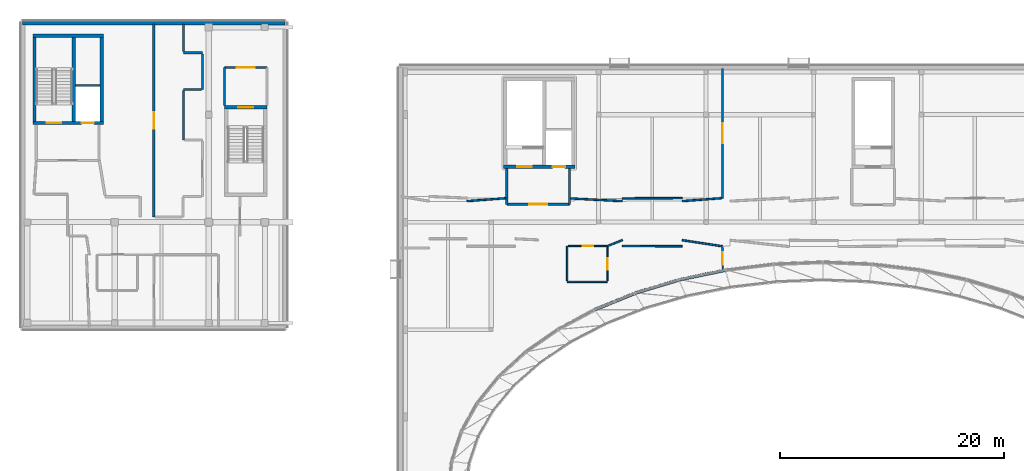
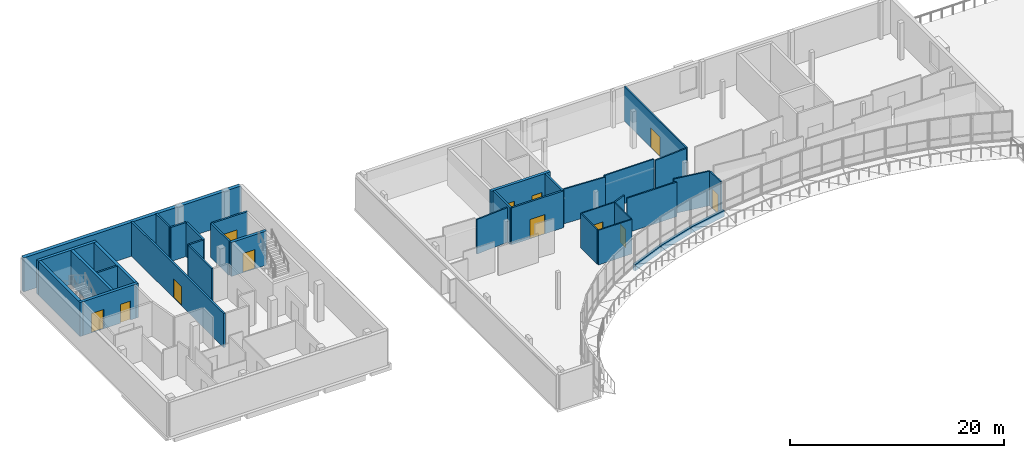
# One storey, part 12 of 18: 36 walls, 12 doors, 12 openings.
"""IFC4 building model written with IfcOpenShell, lengths in metres."""

from ifc_helpers import new_model, si_unit, direction, frame, frame_2d, origin, place, context, subcontext, project, spatial, rectangle, extrude, material, layer, layer_set, type_object, element, fill, save


model = new_model("IFC4")

# Units and contexts
model_context = context("Model", 3, precision=1e-05, world=origin(), true_north=direction((0.0, 1.0)))
body_context = subcontext(model_context, "Body", "Model", "MODEL_VIEW")
ifc_project = project(units=[si_unit("LENGTHUNIT", "METRE"), si_unit("AREAUNIT", "SQUARE_METRE"), si_unit("VOLUMEUNIT", "CUBIC_METRE"), si_unit("PLANEANGLEUNIT", "RADIAN"), si_unit("MASSUNIT", "GRAM", prefix="KILO")], contexts=[model_context])

# Site, building, storey
site_placement = place(None, origin())
site = spatial("IfcSite", under=ifc_project, at=site_placement, CompositionType="ELEMENT")
building_placement = place(site_placement, origin())
building = spatial("IfcBuilding", under=site, at=building_placement, Name="Mzevani Central Library", CompositionType="ELEMENT")
storey_placement = place(building_placement, frame((0.0, 0.0, 18.300048828125)))
storey = spatial("IfcBuildingStorey", under=building, at=storey_placement, Name="L04", CompositionType="ELEMENT", Elevation=18.300048828125)

# Wall
ifc_material_1 = material(Name="Concrete C35/45", Category="concrete")
ifc_layer_1 = layer(ifc_material_1, 0.199951171875, Name="Compartment Wall 200")
ifc_layer_set_1 = layer_set([ifc_layer_1], Name="Concrete C35/45")
wall_type_1 = type_object("IfcWallType", Name="Compartment Wall 200", PredefinedType="STANDARD", material=ifc_layer_set_1)
wall_1_placement = place(storey_placement, frame((30.60009765625, 110.39990234375, 0.0), z_axis=(0.0, 0.0, 1.0), x_axis=(0.0, 1.0, 0.0)))
element("IfcWall", 1, at=wall_1_placement, inside=storey, type_object=wall_type_1, Name="L04 Stair Vestibule C2B Enclosure Wall 1", PredefinedType="STANDARD", context=body_context, shape_type="SweptSolid", body=[
    extrude(rectangle(XDim=3.400146484375, YDim=0.199951171875, at=frame_2d((1.7001953125, 0.0))), origin(), (0.0, 0.0, 1.0), 3.8798828125),
])

# Wall, opening, door
wall_2_placement = place(storey_placement, frame((30.60009765625, 113.800048828125, 0.0), z_axis=(0.0, 0.0, 1.0), x_axis=(1.0, 0.0, 0.0)))
wall_2 = element("IfcWall", 2, at=wall_2_placement, inside=storey, type_object=wall_type_1, Name="L04 Stair Vestibule C2B Enclosure Wall 2", PredefinedType="STANDARD", context=body_context, shape_type="SweptSolid", body=[
    extrude(rectangle(XDim=3.7998046875, YDim=0.199951171875, at=frame_2d((1.89990234375, 0.0))), origin(), (0.0, 0.0, 1.0), 3.8798828125),
])
opening_1_placement = place(wall_2_placement, frame((1.10009765625, 0.0, 0.0)))
opening_1 = element("IfcOpeningElement", 3, at=opening_1_placement, cuts=wall_2, Name="Opening FD-02", PredefinedType="OPENING", context=body_context, shape_type="SweptSolid", body=[
    extrude(rectangle(XDim=1.60009765625, YDim=2.199951171875, at=frame_2d((0.800048828125, 1.10009765625))), frame((0.0, 0.10986328125, 0.0), z_axis=(0.0, -1.0, 0.0), x_axis=(1.0, 0.0, 0.0)), (0.0, 0.0, 1.0), 0.219970703125),
])
ifc_material_2 = material(Name="Fire-rated steel door assembly", Category="steel")
door_type_1 = type_object("IfcDoorType", Name="Fire Lobby Double Door 1600x2200", OperationType="NOTDEFINED", PredefinedType="DOOR", material=ifc_material_2)
door_1_placement = place(opening_1_placement, origin())
door_1 = element("IfcDoor", 4, at=door_1_placement, inside=storey, type_object=door_type_1, Name="L04 Stair Vestibule C2B Smoke-Control Door", OperationType="DOUBLE_DOOR_SINGLE_SWING", OverallHeight=2.199951171875, OverallWidth=1.60009765625, PredefinedType="DOOR", context=body_context, shape_type="SweptSolid", body=[
    extrude(rectangle(XDim=1.60009765625, YDim=2.199951171875, at=frame_2d((0.800048828125, 1.10009765625))), frame((0.0, 0.02490234375, 0.0), z_axis=(0.0, -1.0, 0.0), x_axis=(1.0, 0.0, 0.0)), (0.0, 0.0, 1.0), 0.050048828125),
])
fill(opening_1, door_1)

# Wall
wall_3_placement = place(storey_placement, frame((55.800048828125, 104.800048828125, 0.0), z_axis=(0.0, 0.0, 1.0), x_axis=(0.0, -1.0, 0.0)))
element("IfcWall", 5, at=wall_3_placement, inside=storey, type_object=wall_type_1, Name="L04 Firefighting Stair and Lift Lobby C3A Enclosure Wall 1", PredefinedType="STANDARD", context=body_context, shape_type="SweptSolid", body=[
    extrude(rectangle(XDim=3.199951171875, YDim=0.199951171875, at=frame_2d((1.60009765625, 0.0))), origin(), (0.0, 0.0, 1.0), 4.199951171875),
])

# Wall, opening, door
wall_4_placement = place(storey_placement, frame((55.800048828125, 101.60009765625, 0.0), z_axis=(0.0, 0.0, 1.0), x_axis=(1.0, 0.0, 0.0)))
wall_4 = element("IfcWall", 6, at=wall_4_placement, inside=storey, type_object=wall_type_1, Name="L04 Firefighting Stair and Lift Lobby C3A Enclosure Wall 2", PredefinedType="STANDARD", context=body_context, shape_type="SweptSolid", body=[
    extrude(rectangle(XDim=5.599853515625, YDim=0.199951171875, at=frame_2d((2.7998046875, 0.0))), origin(), (0.0, 0.0, 1.0), 4.199951171875),
])
opening_2_placement = place(wall_4_placement, frame((2.0, 0.0, 0.0)))
opening_2 = element("IfcOpeningElement", 7, at=opening_2_placement, cuts=wall_4, Name="Opening FD-02", PredefinedType="OPENING", context=body_context, shape_type="SweptSolid", body=[
    extrude(rectangle(XDim=1.60009765625, YDim=2.199951171875, at=frame_2d((0.800048828125, 1.10009765625))), frame((0.0, 0.10986328125, 0.0), z_axis=(0.0, -1.0, 0.0), x_axis=(1.0, 0.0, 0.0)), (0.0, 0.0, 1.0), 0.219970703125),
])
door_2_placement = place(opening_2_placement, origin())
door_2 = element("IfcDoor", 8, at=door_2_placement, inside=storey, type_object=door_type_1, Name="L04 Firefighting Stair and Lift Lobby C3A Smoke-Control Door", OperationType="DOUBLE_DOOR_SINGLE_SWING", OverallHeight=2.199951171875, OverallWidth=1.60009765625, PredefinedType="DOOR", context=body_context, shape_type="SweptSolid", body=[
    extrude(rectangle(XDim=1.60009765625, YDim=2.199951171875, at=frame_2d((0.800048828125, 1.10009765625))), frame((0.0, 0.02490234375, 0.0), z_axis=(0.0, -1.0, 0.0), x_axis=(1.0, 0.0, 0.0)), (0.0, 0.0, 1.0), 0.050048828125),
])
fill(opening_2, door_2)

# Wall
wall_5_placement = place(storey_placement, frame((61.39990234375, 101.60009765625, 0.0), z_axis=(0.0, 0.0, 1.0), x_axis=(0.0, 1.0, 0.0)))
element("IfcWall", 9, at=wall_5_placement, inside=storey, type_object=wall_type_1, Name="L04 Firefighting Stair and Lift Lobby C3A Enclosure Wall 3", PredefinedType="STANDARD", context=body_context, shape_type="SweptSolid", body=[
    extrude(rectangle(XDim=3.199951171875, YDim=0.199951171875, at=frame_2d((1.60009765625, 0.0))), origin(), (0.0, 0.0, 1.0), 4.199951171875),
])

# Wall, opening, door
wall_6_placement = place(storey_placement, frame((24.300048828125, 117.7099609375, 0.0), z_axis=(0.0, 0.0, 1.0), x_axis=(0.0, -1.0, 0.0)))
wall_6 = element("IfcWall", 10, at=wall_6_placement, inside=storey, type_object=wall_type_1, Name="L04 V2 Partition IW-COMP (566)", PredefinedType="STANDARD", context=body_context, shape_type="SweptSolid", body=[
    extrude(rectangle(XDim=17.25, YDim=0.199951171875, at=frame_2d((8.625, 0.0))), origin(), (0.0, 0.0, 1.0), 3.8798828125),
])
opening_3_placement = place(wall_6_placement, frame((7.89990234375, 0.0, 0.0)))
opening_3 = element("IfcOpeningElement", 11, at=opening_3_placement, cuts=wall_6, Name="Opening FD-03", PredefinedType="OPENING", context=body_context, shape_type="SweptSolid", body=[
    extrude(rectangle(XDim=1.449951171875, YDim=2.199951171875, at=frame_2d((0.72509765625, 1.10009765625))), frame((0.0, 0.10986328125, 0.0), z_axis=(0.0, -1.0, 0.0), x_axis=(1.0, 0.0, 0.0)), (0.0, 0.0, 1.0), 0.219970703125),
])
door_type_2 = type_object("IfcDoorType", Name="Archival Vault Fire Door 1450x2200", OperationType="NOTDEFINED", PredefinedType="DOOR", material=ifc_material_2)
door_3_placement = place(opening_3_placement, origin())
door_3 = element("IfcDoor", 12, at=door_3_placement, inside=storey, type_object=door_type_2, Name="L04 Photographic and Film Cold Archive Door", OperationType="DOUBLE_DOOR_SINGLE_SWING", OverallHeight=2.199951171875, OverallWidth=1.449951171875, PredefinedType="DOOR", context=body_context, shape_type="SweptSolid", body=[
    extrude(rectangle(XDim=1.449951171875, YDim=2.199951171875, at=frame_2d((0.72509765625, 1.10009765625))), frame((0.0, 0.02490234375, 0.0), z_axis=(0.0, -1.0, 0.0), x_axis=(1.0, 0.0, 0.0)), (0.0, 0.0, 1.0), 0.050048828125),
])
fill(opening_3, door_3)

# Wall, openings, doors
ifc_material_3 = material(Name="Concrete C40/50", Category="concrete")
ifc_layer_2 = layer(ifc_material_3, 0.300048828125, Name="Core Shear Wall 300")
ifc_layer_set_2 = layer_set([ifc_layer_2], Name="Concrete C40/50")
wall_type_2 = type_object("IfcWallType", Name="Core Shear Wall 300", PredefinedType="SHEAR", material=ifc_layer_set_2)
wall_7_placement = place(storey_placement, frame((19.800048828125, 108.85009765625, 0.0), z_axis=(0.0, 0.0, 1.0), x_axis=(-1.0, 0.0, 0.0)))
wall_7 = element("IfcWall", 13, at=wall_7_placement, inside=storey, type_object=wall_type_2, Name="L04 Core C2A North-West Firefighting Core Shear Wall (-y)", PredefinedType="SHEAR", context=body_context, shape_type="SweptSolid", body=[
    extrude(rectangle(XDim=6.300048828125, YDim=0.300048828125, at=frame_2d((3.14990234375, 0.0))), origin(), (0.0, 0.0, 1.0), 3.8798828125),
])
opening_4_placement = place(wall_7_placement, frame((3.75, 0.0, 0.0)))
opening_4 = element("IfcOpeningElement", 14, at=opening_4_placement, cuts=wall_7, Name="Opening FD-01", PredefinedType="OPENING", context=body_context, shape_type="SweptSolid", body=[
    extrude(rectangle(XDim=1.300048828125, YDim=2.199951171875, at=frame_2d((0.64990234375, 1.10009765625))), frame((0.0, 0.16015625, 0.0), z_axis=(0.0, -1.0, 0.0), x_axis=(1.0, 0.0, 0.0)), (0.0, 0.0, 1.0), 0.320068359375),
])
opening_5_placement = place(wall_7_placement, frame((0.85009765625, 0.0, 0.0)))
opening_5 = element("IfcOpeningElement", 15, at=opening_5_placement, cuts=wall_7, Name="Opening LD-02", PredefinedType="OPENING", context=body_context, shape_type="SweptSolid", body=[
    extrude(rectangle(XDim=1.10009765625, YDim=2.14990234375, at=frame_2d((0.550048828125, 1.074951171875))), frame((0.0, 0.16015625, 0.0), z_axis=(0.0, -1.0, 0.0), x_axis=(1.0, 0.0, 0.0)), (0.0, 0.0, 1.0), 0.320068359375),
])
door_type_3 = type_object("IfcDoorType", Name="Fire Stair Door 1300x2200", OperationType="NOTDEFINED", PredefinedType="DOOR", material=ifc_material_2)
door_4_placement = place(opening_4_placement, origin())
door_4 = element("IfcDoor", 16, at=door_4_placement, inside=storey, type_object=door_type_3, Name="L04 ST-03 Protected Exit Stair Door", OperationType="SINGLE_SWING_LEFT", OverallHeight=2.199951171875, OverallWidth=1.300048828125, PredefinedType="DOOR", context=body_context, shape_type="SweptSolid", body=[
    extrude(rectangle(XDim=1.300048828125, YDim=2.199951171875, at=frame_2d((0.64990234375, 1.10009765625))), frame((0.0, 0.02490234375, 0.0), z_axis=(0.0, -1.0, 0.0), x_axis=(1.0, 0.0, 0.0)), (0.0, 0.0, 1.0), 0.050048828125),
])
fill(opening_4, door_4)
ifc_material_4 = material(Name="Brushed stainless steel door", Category="steel")
door_type_4 = type_object("IfcDoorType", Name="Firefighting Lift Landing Door 1100x2150", OperationType="NOTDEFINED", PredefinedType="DOOR", material=ifc_material_4)
door_5_placement = place(opening_5_placement, origin())
door_5 = element("IfcDoor", 17, at=door_5_placement, inside=storey, type_object=door_type_4, Name="L04 Lift LF-FF1 Sliding Landing Door", OperationType="SLIDING_TO_LEFT", OverallHeight=2.14990234375, OverallWidth=1.10009765625, PredefinedType="DOOR", context=body_context, shape_type="SweptSolid", body=[
    extrude(rectangle(XDim=1.10009765625, YDim=2.14990234375, at=frame_2d((0.550048828125, 1.074951171875))), frame((0.0, 0.02490234375, 0.0), z_axis=(0.0, -1.0, 0.0), x_axis=(1.0, 0.0, 0.0)), (0.0, 0.0, 1.0), 0.050048828125),
])
fill(opening_5, door_5)

# Walls
wall_8_placement = place(storey_placement, frame((13.64990234375, 108.699951171875, 0.0), z_axis=(0.0, 0.0, 1.0), x_axis=(0.0, 1.0, 0.0)))
element("IfcWall", 18, at=wall_8_placement, inside=storey, type_object=wall_type_2, Name="L04 Core C2A North-West Firefighting Core Shear Wall (-x)", PredefinedType="SHEAR", context=body_context, shape_type="SweptSolid", body=[
    extrude(rectangle(XDim=8.10009765625, YDim=0.300048828125, at=frame_2d((4.050048828125, 0.0))), origin(), (0.0, 0.0, 1.0), 3.8798828125),
])
wall_9_placement = place(storey_placement, frame((13.5, 116.64990234375, 0.0), z_axis=(0.0, 0.0, 1.0), x_axis=(1.0, 0.0, 0.0)))
element("IfcWall", 19, at=wall_9_placement, inside=storey, type_object=wall_type_2, Name="L04 Core C2A North-West Firefighting Core Shear Wall (+y)", PredefinedType="SHEAR", context=body_context, shape_type="SweptSolid", body=[
    extrude(rectangle(XDim=6.300048828125, YDim=0.300048828125, at=frame_2d((3.14990234375, 0.0))), origin(), (0.0, 0.0, 1.0), 3.8798828125),
])
wall_10_placement = place(storey_placement, frame((19.64990234375, 116.800048828125, 0.0), z_axis=(0.0, 0.0, 1.0), x_axis=(0.0, -1.0, 0.0)))
element("IfcWall", 20, at=wall_10_placement, inside=storey, type_object=wall_type_2, Name="L04 Core C2A North-West Firefighting Core Shear Wall (+x)", PredefinedType="SHEAR", context=body_context, shape_type="SweptSolid", body=[
    extrude(rectangle(XDim=8.10009765625, YDim=0.300048828125, at=frame_2d((4.050048828125, 0.0))), origin(), (0.0, 0.0, 1.0), 3.8798828125),
])
wall_11_placement = place(storey_placement, frame((17.14990234375, 108.85009765625, 0.0), z_axis=(0.0, 0.0, 1.0), x_axis=(0.0, 1.0, 0.0)))
element("IfcWall", 21, at=wall_11_placement, inside=storey, type_object=wall_type_2, Name="L04 Core C2A North-West Firefighting Core Hoistway Shear Wall", PredefinedType="SHEAR", context=body_context, shape_type="SweptSolid", body=[
    extrude(rectangle(XDim=7.7998046875, YDim=0.300048828125, at=frame_2d((3.89990234375, 0.0))), origin(), (0.0, 0.0, 1.0), 3.8798828125),
])

# Wall, opening, door
wall_12_placement = place(storey_placement, frame((30.60009765625, 110.25, 0.0), z_axis=(0.0, 0.0, 1.0), x_axis=(1.0, 0.0, 0.0)))
wall_12 = element("IfcWall", 22, at=wall_12_placement, inside=storey, type_object=wall_type_2, Name="L04 Core C2B Stacks East Escape Stair Shear Wall (+y)", PredefinedType="SHEAR", context=body_context, shape_type="SweptSolid", body=[
    extrude(rectangle(XDim=3.7998046875, YDim=0.300048828125, at=frame_2d((1.89990234375, 0.0))), origin(), (0.0, 0.0, 1.0), 3.8798828125),
])
opening_6_placement = place(wall_12_placement, frame((1.25, 0.0, 0.0)))
opening_6 = element("IfcOpeningElement", 23, at=opening_6_placement, cuts=wall_12, Name="Opening FD-01", PredefinedType="OPENING", context=body_context, shape_type="SweptSolid", body=[
    extrude(rectangle(XDim=1.300048828125, YDim=2.199951171875, at=frame_2d((0.64990234375, 1.10009765625))), frame((0.0, 0.16015625, 0.0), z_axis=(0.0, -1.0, 0.0), x_axis=(1.0, 0.0, 0.0)), (0.0, 0.0, 1.0), 0.320068359375),
])
door_6_placement = place(opening_6_placement, origin())
door_6 = element("IfcDoor", 24, at=door_6_placement, inside=storey, type_object=door_type_3, Name="L04 ST-04 Protected Exit Stair Door", OperationType="SINGLE_SWING_RIGHT", OverallHeight=2.199951171875, OverallWidth=1.300048828125, PredefinedType="DOOR", context=body_context, shape_type="SweptSolid", body=[
    extrude(rectangle(XDim=1.300048828125, YDim=2.199951171875, at=frame_2d((0.64990234375, 1.10009765625))), frame((0.0, 0.02490234375, 0.0), z_axis=(0.0, -1.0, 0.0), x_axis=(1.0, 0.0, 0.0)), (0.0, 0.0, 1.0), 0.050048828125),
])
fill(opening_6, door_6)

# Wall, openings, doors
wall_13_placement = place(storey_placement, frame((61.89990234375, 104.949951171875, 0.0), z_axis=(0.0, 0.0, 1.0), x_axis=(-1.0, 0.0, 0.0)))
wall_13 = element("IfcWall", 25, at=wall_13_placement, inside=storey, type_object=wall_type_2, Name="L04 Core C3A North-East Firefighting Core Shear Wall (-y)", PredefinedType="SHEAR", context=body_context, shape_type="SweptSolid", body=[
    extrude(rectangle(XDim=6.39990234375, YDim=0.300048828125, at=frame_2d((3.199951171875, 0.0))), origin(), (0.0, 0.0, 1.0), 4.199951171875),
])
opening_7_placement = place(wall_13_placement, frame((3.85009765625, 0.0, 0.0)))
opening_7 = element("IfcOpeningElement", 26, at=opening_7_placement, cuts=wall_13, Name="Opening FD-01", PredefinedType="OPENING", context=body_context, shape_type="SweptSolid", body=[
    extrude(rectangle(XDim=1.300048828125, YDim=2.199951171875, at=frame_2d((0.64990234375, 1.10009765625))), frame((0.0, 0.16015625, 0.0), z_axis=(0.0, -1.0, 0.0), x_axis=(1.0, 0.0, 0.0)), (0.0, 0.0, 1.0), 0.320068359375),
])
opening_8_placement = place(wall_13_placement, frame((0.89990234375, 0.0, 0.0)))
opening_8 = element("IfcOpeningElement", 27, at=opening_8_placement, cuts=wall_13, Name="Opening LD-02", PredefinedType="OPENING", context=body_context, shape_type="SweptSolid", body=[
    extrude(rectangle(XDim=1.10009765625, YDim=2.14990234375, at=frame_2d((0.550048828125, 1.074951171875))), frame((0.0, 0.16015625, 0.0), z_axis=(0.0, -1.0, 0.0), x_axis=(1.0, 0.0, 0.0)), (0.0, 0.0, 1.0), 0.320068359375),
])
door_7_placement = place(opening_7_placement, origin())
door_7 = element("IfcDoor", 28, at=door_7_placement, inside=storey, type_object=door_type_3, Name="L04 ST-05 Protected Exit Stair Door", OperationType="SINGLE_SWING_LEFT", OverallHeight=2.199951171875, OverallWidth=1.300048828125, PredefinedType="DOOR", context=body_context, shape_type="SweptSolid", body=[
    extrude(rectangle(XDim=1.300048828125, YDim=2.199951171875, at=frame_2d((0.64990234375, 1.10009765625))), frame((0.0, 0.02490234375, 0.0), z_axis=(0.0, -1.0, 0.0), x_axis=(1.0, 0.0, 0.0)), (0.0, 0.0, 1.0), 0.050048828125),
])
fill(opening_7, door_7)
door_8_placement = place(opening_8_placement, origin())
door_8 = element("IfcDoor", 29, at=door_8_placement, inside=storey, type_object=door_type_4, Name="L04 Lift LF-FF2 Sliding Landing Door", OperationType="SLIDING_TO_LEFT", OverallHeight=2.14990234375, OverallWidth=1.10009765625, PredefinedType="DOOR", context=body_context, shape_type="SweptSolid", body=[
    extrude(rectangle(XDim=1.10009765625, YDim=2.14990234375, at=frame_2d((0.550048828125, 1.074951171875))), frame((0.0, 0.02490234375, 0.0), z_axis=(0.0, -1.0, 0.0), x_axis=(1.0, 0.0, 0.0)), (0.0, 0.0, 1.0), 0.050048828125),
])
fill(opening_8, door_8)

# Walls
ifc_material_5 = material(Name="Precast concrete C40/50", Category="concrete")
ifc_layer_3 = layer(ifc_material_5, 0.280029296875, Name="Court Spandrel Wall 280")
ifc_layer_set_3 = layer_set([ifc_layer_3], Name="Precast concrete C40/50")
wall_type_3 = type_object("IfcWallType", Name="Court Spandrel Wall 280", PredefinedType="STANDARD", material=ifc_layer_set_3)
wall_14_placement = place(storey_placement, frame((75.300048828125, 95.7158203125, 0.0), z_axis=(0.0, 0.0, 1.0), x_axis=(-0.979306137349, -0.202384508674, 0.0)))
element("IfcWall", 30, at=wall_14_placement, inside=storey, type_object=wall_type_3, Name="L04 Elliptical Court Spandrel 15", PredefinedType="STANDARD", context=body_context, shape_type="SweptSolid", body=[
    extrude(rectangle(XDim=4.19921875, YDim=0.280029296875, at=frame_2d((2.099609375, 0.0))), origin(), (0.0, 0.0, 1.0), 0.719970703125),
])
wall_15_placement = place(storey_placement, frame((71.156494140625, 94.8447265625, 0.0), z_axis=(0.0, 0.0, 1.0), x_axis=(-0.957763475746, -0.287557167408, 0.0)))
element("IfcWall", 31, at=wall_15_placement, inside=storey, type_object=wall_type_3, Name="L04 Elliptical Court Spandrel 16", PredefinedType="STANDARD", context=body_context, shape_type="SweptSolid", body=[
    extrude(rectangle(XDim=4.06689453125, YDim=0.280029296875, at=frame_2d((2.033447265625, 0.0))), origin(), (0.0, 0.0, 1.0), 0.719970703125),
])
wall_16_placement = place(storey_placement, frame((67.2373046875, 93.652587890625, 0.0), z_axis=(0.0, 0.0, 1.0), x_axis=(-0.926279468924, -0.376837293071, 0.0)))
element("IfcWall", 32, at=wall_16_placement, inside=storey, type_object=wall_type_3, Name="L04 Elliptical Court Spandrel 17", PredefinedType="STANDARD", context=body_context, shape_type="SweptSolid", body=[
    extrude(rectangle(XDim=3.898193359375, YDim=0.280029296875, at=frame_2d((1.94921875, 0.0))), origin(), (0.0, 0.0, 1.0), 0.719970703125),
])
ifc_layer_4 = layer(ifc_material_5, 0.3798828125, Name="Exterior Thermal Concrete Wall 380")
ifc_layer_set_4 = layer_set([ifc_layer_4], Name="Precast concrete C40/50")
wall_type_4 = type_object("IfcWallType", Name="Exterior Thermal Concrete Wall 380", PredefinedType="STANDARD", material=ifc_layer_set_4)
wall_17_placement = place(storey_placement, frame((12.590087890625, 117.81005859375, 0.0), z_axis=(0.0, 0.0, 1.0), x_axis=(1.0, 0.0, 0.0)))
element("IfcWall", 33, at=wall_17_placement, inside=storey, type_object=wall_type_4, Name="L04 V2 Exterior Thermal Wall (34)", PredefinedType="STANDARD", context=body_context, shape_type="SweptSolid", body=[
    extrude(rectangle(XDim=23.419921875, YDim=0.3798828125, at=frame_2d((11.7099609375, 0.0))), origin(), (0.0, 0.0, 1.0), 3.8798828125),
])
ifc_material_6 = material(Name="Fire-rated gypsum board", Category="gypsum")
ifc_layer_5 = layer(ifc_material_6, 0.1201171875, Name="Partition Acoustic 120")
ifc_layer_set_5 = layer_set([ifc_layer_5], Name="Fire-rated gypsum board")
wall_type_5 = type_object("IfcWallType", Name="Partition Acoustic 120", PredefinedType="PARTITIONING", material=ifc_layer_set_5)
wall_18_placement = place(storey_placement, frame((64.788818359375, 94.675048828125, 0.0), z_axis=(0.0, 0.0, 1.0), x_axis=(-1.0, 0.0, 0.0)))
element("IfcWall", 34, at=wall_18_placement, inside=storey, type_object=wall_type_5, Name="L04 V3 Partition IW-02 (582)", PredefinedType="PARTITIONING", context=body_context, shape_type="SweptSolid", body=[
    extrude(rectangle(XDim=3.599853515625, YDim=0.1201171875, at=frame_2d((1.7998046875, 0.0))), origin(), (0.0, 0.0, 1.0), 3.93994140625),
])
wall_19_placement = place(storey_placement, frame((61.18896484375, 94.77490234375, 0.0), z_axis=(0.0, 0.0, 1.0), x_axis=(0.0, 1.0, 0.0)))
element("IfcWall", 35, at=wall_19_placement, inside=storey, type_object=wall_type_5, Name="L04 V3 Partition IW-02 (583)", PredefinedType="PARTITIONING", context=body_context, shape_type="SweptSolid", body=[
    extrude(rectangle(XDim=3.10009765625, YDim=0.1201171875, at=frame_2d((1.550048828125, 0.0))), origin(), (0.0, 0.0, 1.0), 3.93994140625),
])

# Wall, opening, door
wall_20_placement = place(storey_placement, frame((61.288818359375, 97.875, 0.0), z_axis=(0.0, 0.0, 1.0), x_axis=(1.0, 0.0, 0.0)))
wall_20 = element("IfcWall", 36, at=wall_20_placement, inside=storey, type_object=wall_type_5, Name="L04 V3 Partition IW-02 (584)", PredefinedType="PARTITIONING", context=body_context, shape_type="SweptSolid", body=[
    extrude(rectangle(XDim=3.5, YDim=0.1201171875, at=frame_2d((1.75, 0.0))), origin(), (0.0, 0.0, 1.0), 3.93994140625),
])
opening_9_placement = place(wall_20_placement, frame((1.27490234375, 0.0, 0.0)))
opening_9 = element("IfcOpeningElement", 37, at=opening_9_placement, cuts=wall_20, Name="Opening ID-02", PredefinedType="OPENING", context=body_context, shape_type="SweptSolid", body=[
    extrude(rectangle(XDim=0.949951171875, YDim=2.14990234375, at=frame_2d((0.47509765625, 1.074951171875))), frame((0.0, 0.070068359375, 0.0), z_axis=(0.0, -1.0, 0.0), x_axis=(1.0, 0.0, 0.0)), (0.0, 0.0, 1.0), 0.14013671875),
])
ifc_material_7 = material(Name="Fire-rated solid oak leaf")
door_type_5 = type_object("IfcDoorType", Name="Accessible WC Door 950x2150", OperationType="NOTDEFINED", PredefinedType="DOOR", material=ifc_material_7)
door_9_placement = place(opening_9_placement, origin())
door_9 = element("IfcDoor", 38, at=door_9_placement, inside=storey, type_object=door_type_5, Name="L04 Accessible WC and Public Toilet V3 Door", OperationType="SINGLE_SWING_LEFT", OverallHeight=2.14990234375, OverallWidth=0.949951171875, PredefinedType="DOOR", context=body_context, shape_type="SweptSolid", body=[
    extrude(rectangle(XDim=0.949951171875, YDim=2.14990234375, at=frame_2d((0.47509765625, 1.074951171875))), frame((0.0, 0.02490234375, 0.0), z_axis=(0.0, -1.0, 0.0), x_axis=(1.0, 0.0, 0.0)), (0.0, 0.0, 1.0), 0.050048828125),
])
fill(opening_9, door_9)

wall_21_placement = place(storey_placement, frame((64.788818359375, 97.77490234375, 0.0), z_axis=(0.0, 0.0, 1.0), x_axis=(0.0, -1.0, 0.0)))
wall_21 = element("IfcWall", 39, at=wall_21_placement, inside=storey, type_object=wall_type_5, Name="L04 V3 Partition IW-02 (585)", PredefinedType="PARTITIONING", context=body_context, shape_type="SweptSolid", body=[
    extrude(rectangle(XDim=3.0, YDim=0.1201171875, at=frame_2d((1.5, 0.0))), origin(), (0.0, 0.0, 1.0), 3.93994140625),
])
opening_10_placement = place(wall_21_placement, frame((1.0, 0.0, 0.0)))
opening_10 = element("IfcOpeningElement", 40, at=opening_10_placement, cuts=wall_21, Name="Opening ID-03", PredefinedType="OPENING", context=body_context, shape_type="SweptSolid", body=[
    extrude(rectangle(XDim=1.0, YDim=2.10009765625, at=frame_2d((0.5, 1.050048828125))), frame((0.0, 0.070068359375, 0.0), z_axis=(0.0, -1.0, 0.0), x_axis=(1.0, 0.0, 0.0)), (0.0, 0.0, 1.0), 0.14013671875),
])
door_type_6 = type_object("IfcDoorType", Name="Quiet Study Carrel Door 1000x2100", OperationType="NOTDEFINED", PredefinedType="DOOR", material=ifc_material_7)
door_10_placement = place(opening_10_placement, origin())
door_10 = element("IfcDoor", 41, at=door_10_placement, inside=storey, type_object=door_type_6, Name="L04 Visiting Fellows' Quiet Carrels Door", OperationType="SINGLE_SWING_RIGHT", OverallHeight=2.10009765625, OverallWidth=1.0, PredefinedType="DOOR", context=body_context, shape_type="SweptSolid", body=[
    extrude(rectangle(XDim=1.0, YDim=2.10009765625, at=frame_2d((0.5, 1.050048828125))), frame((0.0, 0.02490234375, 0.0), z_axis=(0.0, -1.0, 0.0), x_axis=(1.0, 0.0, 0.0)), (0.0, 0.0, 1.0), 0.050048828125),
])
fill(opening_10, door_10)

# Walls
ifc_layer_6 = layer(ifc_material_6, 0.14990234375, Name="Partition Study 150")
ifc_layer_set_6 = layer_set([ifc_layer_6], Name="Fire-rated gypsum board")
wall_type_6 = type_object("IfcWallType", Name="Partition Study 150", PredefinedType="PARTITIONING", material=ifc_layer_set_6)
wall_22_placement = place(storey_placement, frame((71.449951171875, 102.14990234375, 0.0), z_axis=(0.0, 0.0, 1.0), x_axis=(-0.999989065169, -0.004676488224, 0.0)))
element("IfcWall", 42, at=wall_22_placement, inside=storey, type_object=wall_type_6, Name="L04 V3 Partition IW-03 (586)", PredefinedType="PARTITIONING", context=body_context, shape_type="SweptSolid", body=[
    extrude(rectangle(XDim=5.324951171875, YDim=0.14990234375, at=frame_2d((2.66259765625, 0.0))), origin(), (0.0, 0.0, 1.0), 3.93994140625),
])
wall_23_placement = place(storey_placement, frame((66.125, 101.8798828125, 0.0), z_axis=(0.0, 0.0, 1.0), x_axis=(-0.998656437942, 0.051820063265, 0.0)))
element("IfcWall", 43, at=wall_23_placement, inside=storey, type_object=wall_type_6, Name="L04 V3 Partition IW-03 (587)", PredefinedType="PARTITIONING", context=body_context, shape_type="SweptSolid", body=[
    extrude(rectangle(XDim=4.631103515625, YDim=0.14990234375, at=frame_2d((2.3154296875, 0.0))), origin(), (0.0, 0.0, 1.0), 3.93994140625),
])
wall_24_placement = place(storey_placement, frame((55.7001953125, 102.142333984375, 0.0), z_axis=(0.0, 0.0, 1.0), x_axis=(-0.99711928762, -0.075849365567, 0.0)))
element("IfcWall", 44, at=wall_24_placement, inside=storey, type_object=wall_type_6, Name="L04 V3 Partition IW-03 (588)", PredefinedType="PARTITIONING", context=body_context, shape_type="SweptSolid", body=[
    extrude(rectangle(XDim=3.460205078125, YDim=0.14990234375, at=frame_2d((1.72998046875, 0.0))), origin(), (0.0, 0.0, 1.0), 3.93994140625),
])

# Wall, opening, door
wall_25_placement = place(storey_placement, frame((75.050048828125, 113.7099609375, 0.0), z_axis=(0.0, 0.0, 1.0), x_axis=(0.0, -1.0, 0.0)))
wall_25 = element("IfcWall", 45, at=wall_25_placement, inside=storey, type_object=wall_type_6, Name="L04 V3 Partition IW-03 (591)", PredefinedType="PARTITIONING", context=body_context, shape_type="SweptSolid", body=[
    extrude(rectangle(XDim=11.56005859375, YDim=0.14990234375, at=frame_2d((5.780029296875, 0.0))), origin(), (0.0, 0.0, 1.0), 3.93994140625),
])
opening_11_placement = place(wall_25_placement, frame((4.8798828125, 0.0, 0.0)))
opening_11 = element("IfcOpeningElement", 46, at=opening_11_placement, cuts=wall_25, Name="Opening FD-06", PredefinedType="OPENING", context=body_context, shape_type="SweptSolid", body=[
    extrude(rectangle(XDim=1.800048828125, YDim=2.199951171875, at=frame_2d((0.89990234375, 1.10009765625))), frame((0.0, 0.0849609375, 0.0), z_axis=(0.0, -1.0, 0.0), x_axis=(1.0, 0.0, 0.0)), (0.0, 0.0, 1.0), 0.169921875),
])
door_type_7 = type_object("IfcDoorType", Name="Fire Corridor Double Door 1800x2200", OperationType="NOTDEFINED", PredefinedType="DOOR", material=ifc_material_2)
door_11_placement = place(opening_11_placement, origin())
door_11 = element("IfcDoor", 47, at=door_11_placement, inside=storey, type_object=door_type_7, Name="L04 North-Light Sawtooth Reading Salon Door", OperationType="DOUBLE_DOOR_SINGLE_SWING", OverallHeight=2.199951171875, OverallWidth=1.800048828125, PredefinedType="DOOR", context=body_context, shape_type="SweptSolid", body=[
    extrude(rectangle(XDim=1.800048828125, YDim=2.199951171875, at=frame_2d((0.89990234375, 1.10009765625))), frame((0.0, 0.02490234375, 0.0), z_axis=(0.0, -1.0, 0.0), x_axis=(1.0, 0.0, 0.0)), (0.0, 0.0, 1.0), 0.050048828125),
])
fill(opening_11, door_11)

# Walls
wall_26_placement = place(storey_placement, frame((74.9501953125, 102.142578125, 0.0), z_axis=(0.0, 0.0, 1.0), x_axis=(-0.997195547784, -0.074840092726, 0.0)))
element("IfcWall", 48, at=wall_26_placement, inside=storey, type_object=wall_type_6, Name="L04 V3 Partition IW-03 (592)", PredefinedType="PARTITIONING", context=body_context, shape_type="SweptSolid", body=[
    extrude(rectangle(XDim=3.510009765625, YDim=0.14990234375, at=frame_2d((1.7548828125, 0.0))), origin(), (0.0, 0.0, 1.0), 3.93994140625),
])
wall_27_placement = place(storey_placement, frame((64.788818359375, 97.875, 0.0), z_axis=(0.0, 0.0, 1.0), x_axis=(0.9290488083, 0.369957175626, 0.0)))
element("IfcWall", 49, at=wall_27_placement, inside=storey, type_object=wall_type_6, Name="L04 V3 Partition IW-03 (602)", PredefinedType="PARTITIONING", context=body_context, shape_type="SweptSolid", body=[
    extrude(rectangle(XDim=1.439208984375, YDim=0.14990234375, at=frame_2d((0.7197265625, 0.0))), origin(), (0.0, 0.0, 1.0), 3.93994140625),
])
wall_28_placement = place(storey_placement, frame((66.125, 97.875, 0.0), z_axis=(0.0, 0.0, 1.0), x_axis=(0.999989065169, -0.004676488224, 0.0)))
element("IfcWall", 50, at=wall_28_placement, inside=storey, type_object=wall_type_6, Name="L04 V3 Partition IW-03 (603)", PredefinedType="PARTITIONING", context=body_context, shape_type="SweptSolid", body=[
    extrude(rectangle(XDim=5.324951171875, YDim=0.14990234375, at=frame_2d((2.66259765625, 0.0))), origin(), (0.0, 0.0, 1.0), 3.93994140625),
])
wall_29_placement = place(storey_placement, frame((71.449951171875, 98.3984375, 0.0), z_axis=(0.0, 0.0, 1.0), x_axis=(0.988598452518, -0.150575893419, 0.0)))
element("IfcWall", 51, at=wall_29_placement, inside=storey, type_object=wall_type_6, Name="L04 V3 Partition IW-03 (604)", PredefinedType="PARTITIONING", context=body_context, shape_type="SweptSolid", body=[
    extrude(rectangle(XDim=3.6416015625, YDim=0.14990234375, at=frame_2d((1.82080078125, 0.0))), origin(), (0.0, 0.0, 1.0), 3.93994140625),
])

# Wall, opening, door
wall_30_placement = place(storey_placement, frame((75.051513671875, 97.75, 0.0), z_axis=(0.0, 0.0, 1.0), x_axis=(0.0148774605, -0.99988932446, 0.0)))
wall_30 = element("IfcWall", 52, at=wall_30_placement, inside=storey, type_object=wall_type_6, Name="L04 V3 Partition IW-03 (605)", PredefinedType="PARTITIONING", context=body_context, shape_type="SweptSolid", body=[
    extrude(rectangle(XDim=1.96923828125, YDim=0.14990234375, at=frame_2d((0.984619140625, 0.0))), origin(), (0.0, 0.0, 1.0), 3.93994140625),
])
opening_12_placement = place(wall_30_placement, frame((0.4345703125, 0.0, 0.0)))
opening_12 = element("IfcOpeningElement", 53, at=opening_12_placement, cuts=wall_30, Name="Opening ID-08", PredefinedType="OPENING", context=body_context, shape_type="SweptSolid", body=[
    extrude(rectangle(XDim=1.10009765625, YDim=2.199951171875, at=frame_2d((0.550048828125, 1.10009765625))), frame((0.0, 0.0849609375, 0.0), z_axis=(0.0, -1.0, 0.0), x_axis=(1.0, 0.0, 0.0)), (0.0, 0.0, 1.0), 0.169921875),
])
door_type_8 = type_object("IfcDoorType", Name="Seminar Room Door 1100x2200", OperationType="NOTDEFINED", PredefinedType="DOOR", material=ifc_material_7)
door_12_placement = place(opening_12_placement, origin())
door_12 = element("IfcDoor", 54, at=door_12_placement, inside=storey, type_object=door_type_8, Name="L04 Roof Garden Reading Conservatory Door", OperationType="SINGLE_SWING_LEFT", OverallHeight=2.199951171875, OverallWidth=1.10009765625, PredefinedType="DOOR", context=body_context, shape_type="SweptSolid", body=[
    extrude(rectangle(XDim=1.10009765625, YDim=2.199951171875, at=frame_2d((0.550048828125, 1.10009765625))), frame((0.0, 0.02490234375, 0.0), z_axis=(0.0, -1.0, 0.0), x_axis=(1.0, 0.0, 0.0)), (0.0, 0.0, 1.0), 0.050048828125),
])
fill(opening_12, door_12)

# Walls
ifc_material_8 = material(Name="Concrete blockwork masonry", Category="masonry")
ifc_layer_7 = layer(ifc_material_8, 0.179931640625, Name="Shaft Enclosure Wall 180")
ifc_layer_set_7 = layer_set([ifc_layer_7], Name="Concrete blockwork masonry")
wall_type_7 = type_object("IfcWallType", Name="Shaft Enclosure Wall 180", PredefinedType="PARTITIONING", material=ifc_layer_set_7)
wall_31_placement = place(storey_placement, frame((17.300048828125, 112.18994140625, 0.0), z_axis=(0.0, 0.0, 1.0), x_axis=(1.0, 0.0, 0.0)))
element("IfcWall", 55, at=wall_31_placement, inside=storey, type_object=wall_type_7, Name="L04 Lift LF-FF1 Hoistway Enclosure Wall", PredefinedType="PARTITIONING", context=body_context, shape_type="SweptSolid", body=[
    extrude(rectangle(XDim=2.199951171875, YDim=0.179931640625, at=frame_2d((1.10009765625, 0.0))), origin(), (0.0, 0.0, 1.0), 3.8798828125),
])
wall_32_placement = place(storey_placement, frame((26.925048828125, 115.125, 0.0), z_axis=(0.0, 0.0, 1.0), x_axis=(1.0, 0.0, 0.0)))
element("IfcWall", 56, at=wall_32_placement, inside=storey, type_object=wall_type_7, Name="L04 V2 Partition IW-04 (569)", PredefinedType="PARTITIONING", context=body_context, shape_type="SweptSolid", body=[
    extrude(rectangle(XDim=1.71484375, YDim=0.179931640625, at=frame_2d((0.857421875, 0.0))), origin(), (0.0, 0.0, 1.0), 3.8798828125),
])
wall_33_placement = place(storey_placement, frame((28.639892578125, 115.02490234375, 0.0), z_axis=(0.0, 0.0, 1.0), x_axis=(0.0, -1.0, 0.0)))
element("IfcWall", 57, at=wall_33_placement, inside=storey, type_object=wall_type_7, Name="L04 V2 Partition IW-04 (570)", PredefinedType="PARTITIONING", context=body_context, shape_type="SweptSolid", body=[
    extrude(rectangle(XDim=3.1748046875, YDim=0.179931640625, at=frame_2d((1.58740234375, 0.0))), origin(), (0.0, 0.0, 1.0), 3.8798828125),
])
wall_34_placement = place(storey_placement, frame((28.5400390625, 111.85009765625, 0.0), z_axis=(0.0, 0.0, 1.0), x_axis=(-1.0, 0.0, 0.0)))
element("IfcWall", 58, at=wall_34_placement, inside=storey, type_object=wall_type_7, Name="L04 V2 Partition IW-04 (571)", PredefinedType="PARTITIONING", context=body_context, shape_type="SweptSolid", body=[
    extrude(rectangle(XDim=1.590087890625, YDim=0.179931640625, at=frame_2d((0.794921875, 0.0))), origin(), (0.0, 0.0, 1.0), 3.8798828125),
])
wall_35_placement = place(storey_placement, frame((26.949951171875, 111.75, 0.0), z_axis=(0.0, 0.0, 1.0), x_axis=(0.0, -1.0, 0.0)))
element("IfcWall", 59, at=wall_35_placement, inside=storey, type_object=wall_type_7, Name="L04 V2 Partition IW-04 (572)", PredefinedType="PARTITIONING", context=body_context, shape_type="SweptSolid", body=[
    extrude(rectangle(XDim=4.39990234375, YDim=0.179931640625, at=frame_2d((2.199951171875, 0.0))), origin(), (0.0, 0.0, 1.0), 3.8798828125),
])
wall_36_placement = place(storey_placement, frame((26.925048828125, 117.7099609375, 0.0), z_axis=(0.0, 0.0, 1.0), x_axis=(0.0, -1.0, 0.0)))
element("IfcWall", 60, at=wall_36_placement, inside=storey, type_object=wall_type_7, Name="L04 V2 Partition IW-04 (578)", PredefinedType="PARTITIONING", context=body_context, shape_type="SweptSolid", body=[
    extrude(rectangle(XDim=2.48486328125, YDim=0.179931640625, at=frame_2d((1.242431640625, 0.0))), origin(), (0.0, 0.0, 1.0), 3.8798828125),
])

save(model, "model.ifc")
